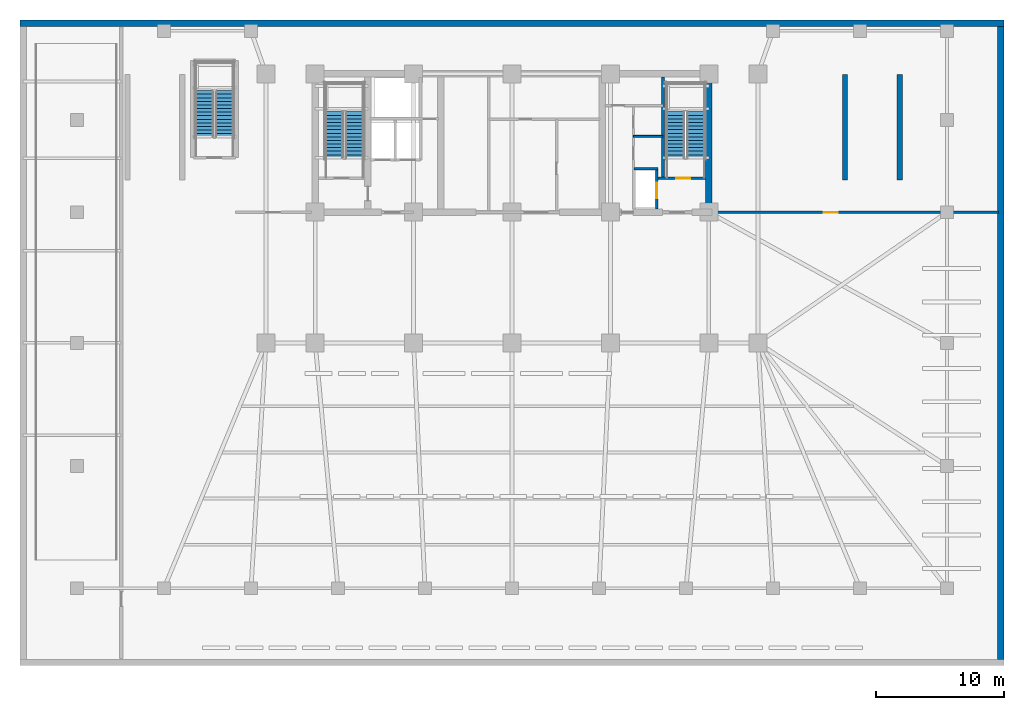
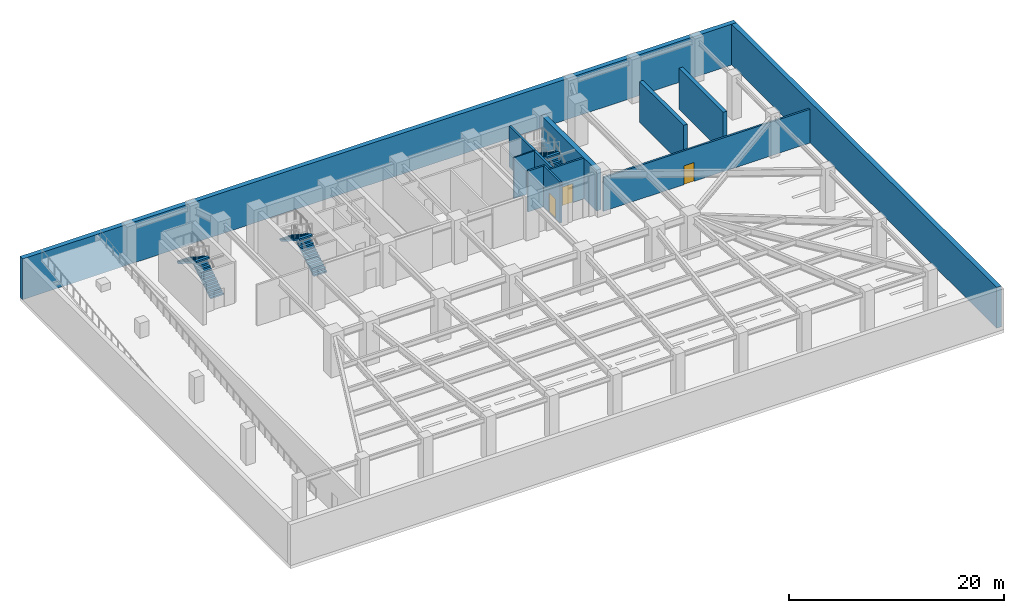
# One storey, part 4 of 8: 11 walls, 6 stair flights, 3 doors, 3 openings, 3 elements without a shape of their own.
"""IFC4 building model written with IfcOpenShell, lengths in metres."""

from ifc_helpers import new_model, si_unit, direction, frame, frame_2d, origin, place, context, subcontext, project, spatial, polyline, rectangle, outline, extrude, material, layer, layer_set, type_object, element, fill, aggregate, save


model = new_model("IFC4")

# Units and contexts
model_context = context("Model", 3, precision=1e-05, world=origin(), true_north=direction((0.0, 1.0)))
body_context = subcontext(model_context, "Body", "Model", "MODEL_VIEW")
ifc_project = project(units=[si_unit("LENGTHUNIT", "METRE"), si_unit("AREAUNIT", "SQUARE_METRE"), si_unit("VOLUMEUNIT", "CUBIC_METRE"), si_unit("PLANEANGLEUNIT", "RADIAN"), si_unit("MASSUNIT", "GRAM", prefix="KILO")], contexts=[model_context])

# Site, building, storey
site_placement = place(None, origin())
site = spatial("IfcSite", under=ifc_project, at=site_placement, CompositionType="ELEMENT")
building_placement = place(site_placement, origin())
building = spatial("IfcBuilding", under=site, at=building_placement, Name="Yelkora Congress Tower", CompositionType="ELEMENT")
storey_placement = place(building_placement, frame((0.0, 0.0, -5.0)))
storey = spatial("IfcBuildingStorey", under=building, at=storey_placement, Name="B01", CompositionType="ELEMENT", Elevation=-5.0)

# Walls
ifc_material_1 = material(Name="Concrete C50/60", Category="concrete")
ifc_layer_1 = layer(ifc_material_1, 0.219970703125)
ifc_layer_set_1 = layer_set([ifc_layer_1], Name="Concrete C50/60")
wall_type_1 = type_object("IfcWallType", Name="WALL-CORE-INT-220", PredefinedType="SHEAR", material=ifc_layer_set_1)
wall_1_placement = place(storey_placement, frame((50.179931640625, 38.050048828125, 0.0), z_axis=(0.0, 0.0, 1.0), x_axis=(0.0, 1.0, 0.0)))
element("IfcWall", 1, at=wall_1_placement, inside=storey, type_object=wall_type_1, Name="B01 ST02 West Stair Shear Wall", PredefinedType="SHEAR", context=body_context, shape_type="SweptSolid", body=[
    extrude(rectangle(XDim=7.89990234375, YDim=0.219970703125, at=frame_2d((3.949951171875, 0.0))), origin(), (0.0, 0.0, 1.0), 4.64990234375),
])
ifc_layer_2 = layer(ifc_material_1, 0.39990234375)
ifc_layer_set_2 = layer_set([ifc_layer_2], Name="Concrete C50/60")
wall_type_2 = type_object("IfcWallType", Name="WALL-CORE-INT-400", PredefinedType="SHEAR", material=ifc_layer_set_2)
for number, where, z_axis, x_axis, name in (
    (2, (64.39990234375, 37.89990234375, 0.0), (0.0, 0.0, 1.0), (0.0, 1.0, 0.0), "B01 STP2 West Shear Wall"),
    (3, (68.659912109375, 37.89990234375, 0.0), (0.0, 0.0, 1.0), (0.0, 1.0, 0.0), "B01 STP2 East Shear Wall"),
):
    element("IfcWall", number, at=place(storey_placement, frame(where, z_axis=z_axis, x_axis=x_axis)), inside=storey, type_object=wall_type_2, Name=name, PredefinedType="SHEAR", context=body_context, shape_type="SweptSolid", body=[
        extrude(rectangle(XDim=8.25, YDim=0.39990234375, at=frame_2d((4.125, 0.0))), origin(), (0.0, 0.0, 1.0), 4.64990234375),
    ])
ifc_material_2 = material(Name="Concrete C60/75", Category="concrete")
ifc_layer_3 = layer(ifc_material_2, 0.5)
ifc_layer_set_3 = layer_set([ifc_layer_3], Name="Concrete C60/75")
wall_type_3 = type_object("IfcWallType", Name="WALL-CORE-INT-500", PredefinedType="SHEAR", material=ifc_layer_set_3)
wall_2_placement = place(storey_placement, frame((53.760009765625, 35.64990234375, 0.0), z_axis=(0.0, 0.0, 1.0), x_axis=(0.0, 1.0, 0.0)))
element("IfcWall", 4, at=wall_2_placement, inside=storey, type_object=wall_type_3, Name="B01 Rear Core Cross Shear Wall E", PredefinedType="SHEAR", context=body_context, shape_type="SweptSolid", body=[
    extrude(rectangle(XDim=10.300048828125, YDim=0.5, at=frame_2d((5.14990234375, 0.0))), origin(), (0.0, 0.0, 1.0), 4.64990234375),
])
ifc_material_3 = material(Name="Acoustic metal-stud gypsum partition", Category="gypsum")
ifc_layer_4 = layer(ifc_material_3, 0.14990234375)
ifc_layer_set_4 = layer_set([ifc_layer_4], Name="Acoustic metal-stud gypsum partition")
wall_type_4 = type_object("IfcWallType", Name="WALL-INT-150-NR", PredefinedType="PARTITIONING", material=ifc_layer_set_4)
wall_3_placement = place(storey_placement, frame((47.8798828125, 41.320068359375, 0.0), z_axis=(0.0, 0.0, 1.0), x_axis=(1.0, 0.0, 0.0)))
element("IfcWall", 5, at=wall_3_placement, inside=storey, type_object=wall_type_4, Name="B01 Partition Wall 17", PredefinedType="PARTITIONING", context=body_context, shape_type="SweptSolid", body=[
    extrude(rectangle(XDim=2.300048828125, YDim=0.14990234375, at=frame_2d((1.14990234375, 0.0))), origin(), (0.0, 0.0, 1.0), 4.64990234375),
])

# Wall, opening, door
ifc_material_4 = material(Name="Autoclaved aerated concrete blockwork", Category="masonry")
ifc_layer_5 = layer(ifc_material_4, 0.199951171875)
ifc_layer_set_5 = layer_set([ifc_layer_5], Name="Autoclaved aerated concrete blockwork")
wall_type_5 = type_object("IfcWallType", Name="WALL-INT-200-R120", PredefinedType="PARTITIONING", material=ifc_layer_set_5)
wall_4_placement = place(storey_placement, frame((49.780029296875, 38.050048828125, 0.0), z_axis=(0.0, 0.0, 1.0), x_axis=(1.0, 0.0, 0.0)))
wall_4 = element("IfcWall", 6, at=wall_4_placement, inside=storey, type_object=wall_type_5, Name="B01 Stair ST-02 Enclosure Wall", PredefinedType="PARTITIONING", context=body_context, shape_type="SweptSolid", body=[
    extrude(rectangle(XDim=3.719970703125, YDim=0.199951171875, at=frame_2d((1.85986328125, 0.0))), origin(), (0.0, 0.0, 1.0), 4.64990234375),
])
opening_1_placement = place(wall_4_placement, frame((1.436279296875, 0.0, 0.0)))
opening_1 = element("IfcOpeningElement", 7, at=opening_1_placement, cuts=wall_4, Name="Opening DR-110F9", PredefinedType="OPENING", context=body_context, shape_type="SweptSolid", body=[
    extrude(rectangle(XDim=1.10009765625, YDim=2.14990234375, at=frame_2d((0.550048828125, 1.074951171875))), frame((0.0, 0.10986328125, 0.0), z_axis=(0.0, -1.0, 0.0), x_axis=(1.0, 0.0, 0.0)), (0.0, 0.0, 1.0), 0.219970703125),
])
ifc_material_5 = material(Name="Galvanised steel fire door leaf", Category="steel")
door_type_1 = type_object("IfcDoorType", Name="DOOR-FD90-1100", OperationType="NOTDEFINED", PredefinedType="DOOR", material=ifc_material_5)
door_1_placement = place(opening_1_placement, origin())
door_1 = element("IfcDoor", 8, at=door_1_placement, inside=storey, type_object=door_type_1, Name="B01 Stair ST-02 Entry Door", OperationType="SINGLE_SWING_LEFT", OverallHeight=2.14990234375, OverallWidth=1.10009765625, PredefinedType="DOOR", context=body_context, shape_type="SweptSolid", body=[
    extrude(rectangle(XDim=1.10009765625, YDim=2.14990234375, at=frame_2d((0.550048828125, 1.074951171875))), frame((0.0, 0.02490234375, 0.0), z_axis=(0.0, -1.0, 0.0), x_axis=(1.0, 0.0, 0.0)), (0.0, 0.0, 1.0), 0.050048828125),
])
fill(opening_1, door_1)

wall_5_placement = place(storey_placement, frame((49.699951171875, 35.64990234375, 0.0), z_axis=(0.0, 0.0, 1.0), x_axis=(0.0, 1.0, 0.0)))
wall_5 = element("IfcWall", 9, at=wall_5_placement, inside=storey, type_object=wall_type_5, Name="B01 Partition Wall 13", PredefinedType="PARTITIONING", context=body_context, shape_type="SweptSolid", body=[
    extrude(rectangle(XDim=3.150146484375, YDim=0.199951171875, at=frame_2d((1.5751953125, 0.0))), origin(), (0.0, 0.0, 1.0), 4.64990234375),
])
opening_2_placement = place(wall_5_placement, frame((0.85009765625, 0.0, 0.0)))
opening_2 = element("IfcOpeningElement", 10, at=opening_2_placement, cuts=wall_5, Name="Opening LD-SV12", PredefinedType="OPENING", context=body_context, shape_type="SweptSolid", body=[
    extrude(rectangle(XDim=1.199951171875, YDim=2.199951171875, at=frame_2d((0.60009765625, 1.10009765625))), frame((0.0, 0.10986328125, 0.0), z_axis=(0.0, -1.0, 0.0), x_axis=(1.0, 0.0, 0.0)), (0.0, 0.0, 1.0), 0.219970703125),
])
ifc_material_6 = material(Name="Heavy-duty stainless steel landing door", Category="steel")
door_type_2 = type_object("IfcDoorType", Name="DOOR-LIFT-SRV-1200", OperationType="DOUBLE_DOOR_SLIDING", PredefinedType="DOOR", material=ifc_material_6)
door_2_placement = place(opening_2_placement, origin())
door_2 = element("IfcDoor", 11, at=door_2_placement, inside=storey, type_object=door_type_2, Name="Service Lift Landing Door LF-SV1 B01", OperationType="DOUBLE_DOOR_SLIDING", OverallHeight=2.199951171875, OverallWidth=1.199951171875, PredefinedType="DOOR", context=body_context, shape_type="SweptSolid", body=[
    extrude(rectangle(XDim=1.199951171875, YDim=2.199951171875, at=frame_2d((0.60009765625, 1.10009765625))), frame((0.0, 0.02490234375, 0.0), z_axis=(0.0, -1.0, 0.0), x_axis=(1.0, 0.0, 0.0)), (0.0, 0.0, 1.0), 0.050048828125),
])
fill(opening_2, door_2)

# Wall
wall_6_placement = place(storey_placement, frame((47.919921875, 38.800048828125, 0.0), z_axis=(0.0, 0.0, 1.0), x_axis=(1.0, 0.0, 0.0)))
element("IfcWall", 12, at=wall_6_placement, inside=storey, type_object=wall_type_5, Name="B01 Partition Wall 15", PredefinedType="PARTITIONING", context=body_context, shape_type="SweptSolid", body=[
    extrude(rectangle(XDim=1.860107421875, YDim=0.199951171875, at=frame_2d((0.93017578125, 0.0))), origin(), (0.0, 0.0, 1.0), 4.64990234375),
])

# Wall, opening, door
wall_7_placement = place(storey_placement, frame((54.050048828125, 35.3798828125, 0.0), z_axis=(0.0, 0.0, 1.0), x_axis=(1.0, 0.0, 0.0)))
wall_7 = element("IfcWall", 13, at=wall_7_placement, inside=storey, type_object=wall_type_5, Name="B01 Partition Wall 22", PredefinedType="PARTITIONING", context=body_context, shape_type="SweptSolid", body=[
    extrude(rectangle(XDim=22.329833984375, YDim=0.199951171875, at=frame_2d((11.1650390625, 0.0))), origin(), (0.0, 0.0, 1.0), 3.844970703125),
])
opening_3_placement = place(wall_7_placement, frame((8.680908203125, 0.0, 0.0)))
opening_3 = element("IfcOpeningElement", 14, at=opening_3_placement, cuts=wall_7, Name="Opening DR-110F6", PredefinedType="OPENING", context=body_context, shape_type="SweptSolid", body=[
    extrude(rectangle(XDim=1.10009765625, YDim=2.14990234375, at=frame_2d((0.550048828125, 1.074951171875))), frame((0.0, 0.10986328125, 0.0), z_axis=(0.0, -1.0, 0.0), x_axis=(1.0, 0.0, 0.0)), (0.0, 0.0, 1.0), 0.219970703125),
])
ifc_material_7 = material(Name="Fire-rated composite timber-steel leaf", Category="steel")
door_type_3 = type_object("IfcDoorType", Name="DOOR-FD60-1100", OperationType="NOTDEFINED", PredefinedType="DOOR", material=ifc_material_7)
door_3_placement = place(opening_3_placement, origin())
door_3 = element("IfcDoor", 15, at=door_3_placement, inside=storey, type_object=door_type_3, Name="B01 Interior Door 17", OperationType="SINGLE_SWING_LEFT", OverallHeight=2.14990234375, OverallWidth=1.10009765625, PredefinedType="DOOR", context=body_context, shape_type="SweptSolid", body=[
    extrude(rectangle(XDim=1.10009765625, YDim=2.14990234375, at=frame_2d((0.550048828125, 1.074951171875))), frame((0.0, 0.02490234375, 0.0), z_axis=(0.0, -1.0, 0.0), x_axis=(1.0, 0.0, 0.0)), (0.0, 0.0, 1.0), 0.050048828125),
])
fill(opening_3, door_3)

# Walls
ifc_layer_6 = layer(ifc_material_1, 0.5)
ifc_layer_set_6 = layer_set([ifc_layer_6], Name="Concrete C50/60")
wall_type_6 = type_object("IfcWallType", Name="WALL-RET-500", PredefinedType="USERDEFINED", material=ifc_layer_set_6)
wall_8_placement = place(storey_placement, frame((0.0, 50.14990234375, 0.0), z_axis=(0.0, 0.0, 1.0), x_axis=(1.0, 0.0, 0.0)))
element("IfcWall", 16, at=wall_8_placement, inside=storey, type_object=wall_type_6, Name="B01 North Retaining Wall", ObjectType="RETAININGWALL", PredefinedType="USERDEFINED", context=body_context, shape_type="SweptSolid", body=[
    extrude(rectangle(XDim=76.800048828125, YDim=0.5, at=frame_2d((38.39990234375, 0.0))), origin(), (0.0, 0.0, 1.0), 4.64990234375),
])
wall_9_placement = place(storey_placement, frame((76.550048828125, 0.5, 0.0), z_axis=(0.0, 0.0, 1.0), x_axis=(0.0, 1.0, 0.0)))
element("IfcWall", 17, at=wall_9_placement, inside=storey, type_object=wall_type_6, Name="B01 East Retaining Wall", ObjectType="RETAININGWALL", PredefinedType="USERDEFINED", context=body_context, shape_type="SweptSolid", body=[
    extrude(rectangle(XDim=49.39990234375, YDim=0.5, at=frame_2d((24.699951171875, 0.0))), origin(), (0.0, 0.0, 1.0), 4.64990234375),
])

# Stair, stair flights
ifc_material_8 = material(Name="Concrete C40/50", Category="concrete")
stair_type_1 = type_object("IfcStairType", Name="STAIR-HT-1400-R28-179", PredefinedType="HALF_TURN_STAIR", material=ifc_material_8)
stair_1_placement = place(storey_placement, origin())
stair_1 = element("IfcStair", 18, at=stair_1_placement, inside=storey, type_object=stair_type_1, Name="Basement Exit Stair ST-B1 (B01)", PredefinedType="HALF_TURN_STAIR")
stair_flight_type_1 = type_object("IfcStairFlightType", Name="FLIGHT-1400-N14-R179-G280", PredefinedType="STRAIGHT", material=ifc_material_8)
stair_flight_1_placement = place(storey_placement, frame((15.9599609375, 41.25, 0.0), z_axis=(0.0, 0.0, 1.0), x_axis=(0.0, 1.0, 0.0)))
stair_flight_1 = element("IfcStairFlight", 19, at=stair_flight_1_placement, type_object=stair_flight_type_1, Name="ST-B1 B01 Flight 1", NumberOfRisers=14, NumberOfTreads=13, PredefinedType="STRAIGHT", RiserHeight=0.178571429, TreadLength=0.28, context=body_context, shape_type="SweptSolid", body=[
    extrude(outline(polyline([(0.0, 0.0), (0.0, 0.178466796875), (0.280029296875, 0.178466796875), (0.280029296875, 0.357177734375), (0.56005859375, 0.357177734375), (0.56005859375, 0.53564453125), (0.840087890625, 0.53564453125), (0.840087890625, 0.71435546875), (1.1201171875, 0.71435546875), (1.1201171875, 0.892822265625), (1.39990234375, 0.892822265625), (1.39990234375, 1.071533203125), (1.679931640625, 1.071533203125), (1.679931640625, 1.25), (1.9599609375, 1.25), (1.9599609375, 1.428466796875), (2.239990234375, 1.428466796875), (2.239990234375, 1.607177734375), (2.52001953125, 1.607177734375), (2.52001953125, 1.78564453125), (2.800048828125, 1.78564453125), (2.800048828125, 1.96435546875), (3.080078125, 1.96435546875), (3.080078125, 2.142822265625), (3.360107421875, 2.142822265625), (3.360107421875, 2.321533203125), (3.639892578125, 2.321533203125), (3.639892578125, 2.5), (3.639892578125, 2.1318359375), (0.29736328125, 0.0), (0.0, 0.0)])), frame((0.0, 0.699951171875, 0.0), z_axis=(0.0, -1.0, 0.0), x_axis=(1.0, 0.0, 0.0)), (0.0, 0.0, 1.0), 1.39990234375),
])
stair_flight_2_placement = place(storey_placement, frame((14.39990234375, 44.889892578125, 2.5), z_axis=(0.0, 0.0, 1.0), x_axis=(0.0, -1.0, 0.0)))
stair_flight_2 = element("IfcStairFlight", 20, at=stair_flight_2_placement, type_object=stair_flight_type_1, Name="ST-B1 B01 Flight 2", NumberOfRisers=14, NumberOfTreads=13, PredefinedType="STRAIGHT", RiserHeight=0.178571429, TreadLength=0.28, context=body_context, shape_type="SweptSolid", body=[
    extrude(outline(polyline([(0.0, 0.0), (0.0, 0.178466796875), (0.280029296875, 0.178466796875), (0.280029296875, 0.357177734375), (0.56005859375, 0.357177734375), (0.56005859375, 0.53564453125), (0.840087890625, 0.53564453125), (0.840087890625, 0.71435546875), (1.1201171875, 0.71435546875), (1.1201171875, 0.892822265625), (1.39990234375, 0.892822265625), (1.39990234375, 1.071533203125), (1.679931640625, 1.071533203125), (1.679931640625, 1.25), (1.9599609375, 1.25), (1.9599609375, 1.428466796875), (2.239990234375, 1.428466796875), (2.239990234375, 1.607177734375), (2.52001953125, 1.607177734375), (2.52001953125, 1.78564453125), (2.800048828125, 1.78564453125), (2.800048828125, 1.96435546875), (3.080078125, 1.96435546875), (3.080078125, 2.142822265625), (3.360107421875, 2.142822265625), (3.360107421875, 2.321533203125), (3.639892578125, 2.321533203125), (3.639892578125, 2.5), (3.639892578125, 2.1318359375), (0.29736328125, 0.0), (0.0, 0.0)])), frame((0.0, 0.699951171875, 0.0), z_axis=(0.0, -1.0, 0.0), x_axis=(1.0, 0.0, 0.0)), (0.0, 0.0, 1.0), 1.39990234375),
])
aggregate(stair_1, [stair_flight_1, stair_flight_2])

stair_type_2 = type_object("IfcStairType", Name="STAIR-HT-1420-R28-179", PredefinedType="HALF_TURN_STAIR", material=ifc_material_8)
stair_2_placement = place(storey_placement, origin())
stair_2 = element("IfcStair", 21, at=stair_2_placement, inside=storey, type_object=stair_type_2, Name="West Core Protected Exit Stair ST-01 (B01)", PredefinedType="HALF_TURN_STAIR")
stair_flight_type_2 = type_object("IfcStairFlightType", Name="FLIGHT-1420-N14-R179-G280", PredefinedType="STRAIGHT", material=ifc_material_8)
stair_flight_3_placement = place(storey_placement, frame((26.110107421875, 39.60009765625, 0.0), z_axis=(0.0, 0.0, 1.0), x_axis=(0.0, 1.0, 0.0)))
stair_flight_3 = element("IfcStairFlight", 22, at=stair_flight_3_placement, type_object=stair_flight_type_2, Name="ST-01 B01 Flight 1", NumberOfRisers=14, NumberOfTreads=13, PredefinedType="STRAIGHT", RiserHeight=0.178571429, TreadLength=0.28, context=body_context, shape_type="SweptSolid", body=[
    extrude(outline(polyline([(0.0, 0.0), (0.0, 0.178466796875), (0.280029296875, 0.178466796875), (0.280029296875, 0.357177734375), (0.56005859375, 0.357177734375), (0.56005859375, 0.53564453125), (0.840087890625, 0.53564453125), (0.840087890625, 0.71435546875), (1.1201171875, 0.71435546875), (1.1201171875, 0.892822265625), (1.39990234375, 0.892822265625), (1.39990234375, 1.071533203125), (1.679931640625, 1.071533203125), (1.679931640625, 1.25), (1.9599609375, 1.25), (1.9599609375, 1.428466796875), (2.239990234375, 1.428466796875), (2.239990234375, 1.607177734375), (2.52001953125, 1.607177734375), (2.52001953125, 1.78564453125), (2.800048828125, 1.78564453125), (2.800048828125, 1.96435546875), (3.080078125, 1.96435546875), (3.080078125, 2.142822265625), (3.360107421875, 2.142822265625), (3.360107421875, 2.321533203125), (3.639892578125, 2.321533203125), (3.639892578125, 2.5), (3.639892578125, 2.1318359375), (0.29736328125, 0.0), (0.0, 0.0)])), frame((0.0, 0.7099609375, 0.0), z_axis=(0.0, -1.0, 0.0), x_axis=(1.0, 0.0, 0.0)), (0.0, 0.0, 1.0), 1.419921875),
])
stair_flight_4_placement = place(storey_placement, frame((24.530029296875, 43.239990234375, 2.5), z_axis=(0.0, 0.0, 1.0), x_axis=(0.0, -1.0, 0.0)))
stair_flight_4 = element("IfcStairFlight", 23, at=stair_flight_4_placement, type_object=stair_flight_type_2, Name="ST-01 B01 Flight 2", NumberOfRisers=14, NumberOfTreads=13, PredefinedType="STRAIGHT", RiserHeight=0.178571429, TreadLength=0.28, context=body_context, shape_type="SweptSolid", body=[
    extrude(outline(polyline([(0.0, 0.0), (0.0, 0.178466796875), (0.280029296875, 0.178466796875), (0.280029296875, 0.357177734375), (0.56005859375, 0.357177734375), (0.56005859375, 0.53564453125), (0.840087890625, 0.53564453125), (0.840087890625, 0.71435546875), (1.1201171875, 0.71435546875), (1.1201171875, 0.892822265625), (1.39990234375, 0.892822265625), (1.39990234375, 1.071533203125), (1.679931640625, 1.071533203125), (1.679931640625, 1.25), (1.9599609375, 1.25), (1.9599609375, 1.428466796875), (2.239990234375, 1.428466796875), (2.239990234375, 1.607177734375), (2.52001953125, 1.607177734375), (2.52001953125, 1.78564453125), (2.800048828125, 1.78564453125), (2.800048828125, 1.96435546875), (3.080078125, 1.96435546875), (3.080078125, 2.142822265625), (3.360107421875, 2.142822265625), (3.360107421875, 2.321533203125), (3.639892578125, 2.321533203125), (3.639892578125, 2.5), (3.639892578125, 2.1318359375), (0.29736328125, 0.0), (0.0, 0.0)])), frame((0.0, 0.7099609375, 0.0), z_axis=(0.0, -1.0, 0.0), x_axis=(1.0, 0.0, 0.0)), (0.0, 0.0, 1.0), 1.419921875),
])
aggregate(stair_2, [stair_flight_3, stair_flight_4])

stair_3_placement = place(storey_placement, origin())
stair_3 = element("IfcStair", 24, at=stair_3_placement, inside=storey, type_object=stair_type_2, Name="East Core Protected Exit Stair ST-02 (B01)", PredefinedType="HALF_TURN_STAIR")
stair_flight_5_placement = place(storey_placement, frame((52.75, 39.60009765625, 0.0), z_axis=(0.0, 0.0, 1.0), x_axis=(0.0, 1.0, 0.0)))
stair_flight_5 = element("IfcStairFlight", 25, at=stair_flight_5_placement, type_object=stair_flight_type_2, Name="ST-02 B01 Flight 1", NumberOfRisers=14, NumberOfTreads=13, PredefinedType="STRAIGHT", RiserHeight=0.178571429, TreadLength=0.28, context=body_context, shape_type="SweptSolid", body=[
    extrude(outline(polyline([(0.0, 0.0), (0.0, 0.178466796875), (0.280029296875, 0.178466796875), (0.280029296875, 0.357177734375), (0.56005859375, 0.357177734375), (0.56005859375, 0.53564453125), (0.840087890625, 0.53564453125), (0.840087890625, 0.71435546875), (1.1201171875, 0.71435546875), (1.1201171875, 0.892822265625), (1.39990234375, 0.892822265625), (1.39990234375, 1.071533203125), (1.679931640625, 1.071533203125), (1.679931640625, 1.25), (1.9599609375, 1.25), (1.9599609375, 1.428466796875), (2.239990234375, 1.428466796875), (2.239990234375, 1.607177734375), (2.52001953125, 1.607177734375), (2.52001953125, 1.78564453125), (2.800048828125, 1.78564453125), (2.800048828125, 1.96435546875), (3.080078125, 1.96435546875), (3.080078125, 2.142822265625), (3.360107421875, 2.142822265625), (3.360107421875, 2.321533203125), (3.639892578125, 2.321533203125), (3.639892578125, 2.5), (3.639892578125, 2.1318359375), (0.29736328125, 0.0), (0.0, 0.0)])), frame((0.0, 0.7099609375, 0.0), z_axis=(0.0, -1.0, 0.0), x_axis=(1.0, 0.0, 0.0)), (0.0, 0.0, 1.0), 1.419921875),
])
stair_flight_6_placement = place(storey_placement, frame((51.169921875, 43.239990234375, 2.5), z_axis=(0.0, 0.0, 1.0), x_axis=(0.0, -1.0, 0.0)))
stair_flight_6 = element("IfcStairFlight", 26, at=stair_flight_6_placement, type_object=stair_flight_type_2, Name="ST-02 B01 Flight 2", NumberOfRisers=14, NumberOfTreads=13, PredefinedType="STRAIGHT", RiserHeight=0.178571429, TreadLength=0.28, context=body_context, shape_type="SweptSolid", body=[
    extrude(outline(polyline([(0.0, 0.0), (0.0, 0.178466796875), (0.280029296875, 0.178466796875), (0.280029296875, 0.357177734375), (0.56005859375, 0.357177734375), (0.56005859375, 0.53564453125), (0.840087890625, 0.53564453125), (0.840087890625, 0.71435546875), (1.1201171875, 0.71435546875), (1.1201171875, 0.892822265625), (1.39990234375, 0.892822265625), (1.39990234375, 1.071533203125), (1.679931640625, 1.071533203125), (1.679931640625, 1.25), (1.9599609375, 1.25), (1.9599609375, 1.428466796875), (2.239990234375, 1.428466796875), (2.239990234375, 1.607177734375), (2.52001953125, 1.607177734375), (2.52001953125, 1.78564453125), (2.800048828125, 1.78564453125), (2.800048828125, 1.96435546875), (3.080078125, 1.96435546875), (3.080078125, 2.142822265625), (3.360107421875, 2.142822265625), (3.360107421875, 2.321533203125), (3.639892578125, 2.321533203125), (3.639892578125, 2.5), (3.639892578125, 2.1318359375), (0.29736328125, 0.0), (0.0, 0.0)])), frame((0.0, 0.7099609375, 0.0), z_axis=(0.0, -1.0, 0.0), x_axis=(1.0, 0.0, 0.0)), (0.0, 0.0, 1.0), 1.419921875),
])
aggregate(stair_3, [stair_flight_5, stair_flight_6])

save(model, "model.ifc")
